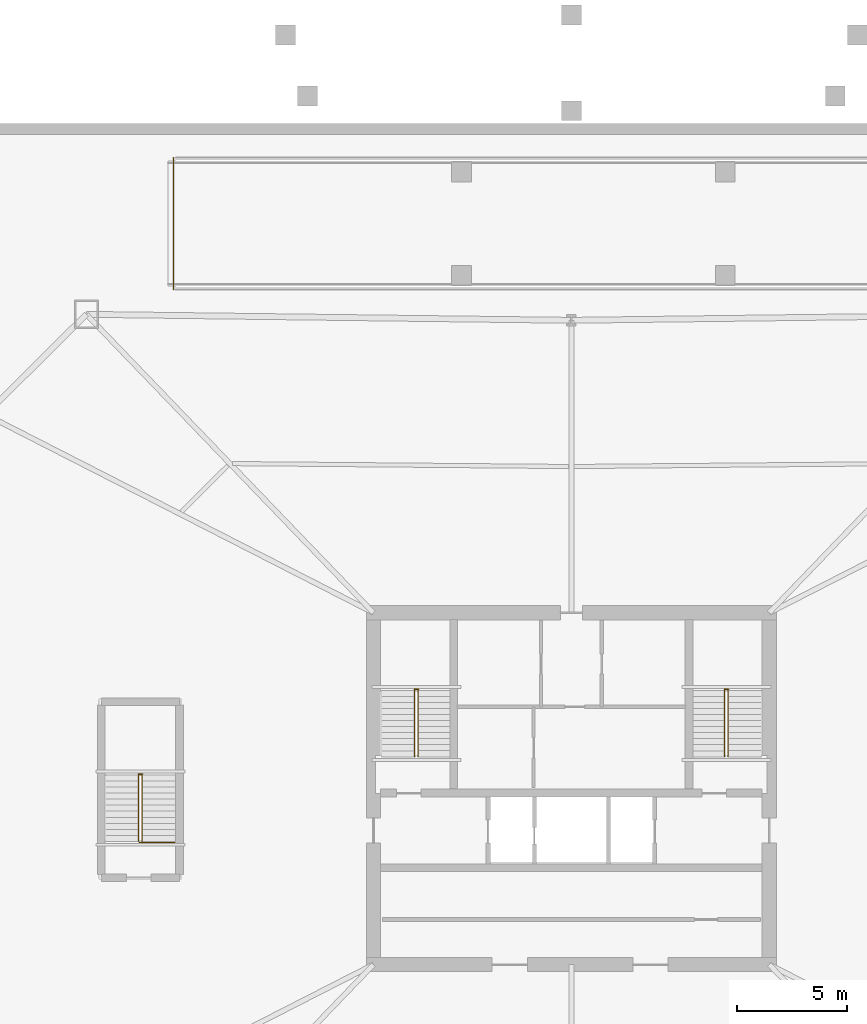
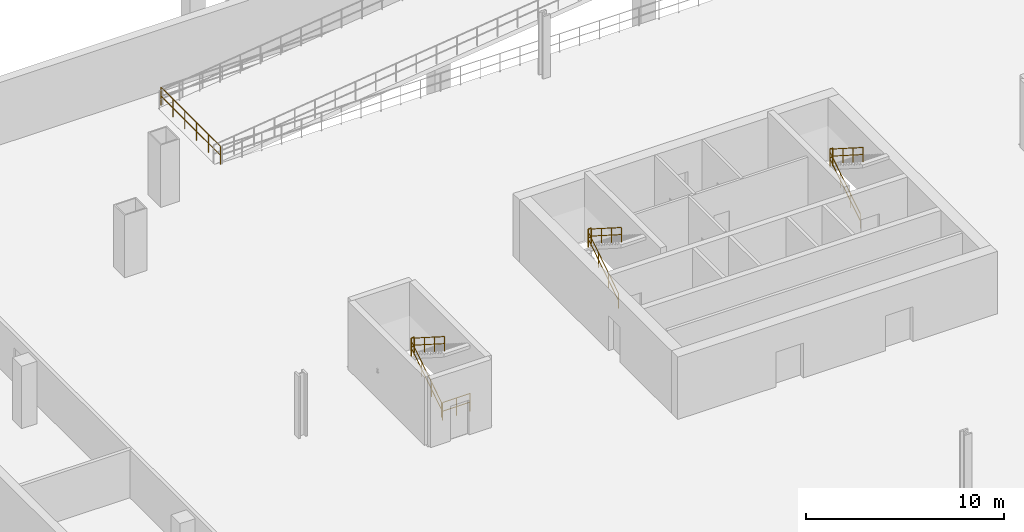
# One storey, part 7 of 9: 11 railings.
"""IFC4 building model written with IfcOpenShell, lengths in metres."""

from ifc_helpers import new_model, si_unit, direction, frame, origin, origin_2d, place, context, subcontext, project, spatial, circle, extrude, material, type_object, element, save


model = new_model("IFC4")

# Units and contexts
model_context = context("Model", 3, precision=1e-05, world=origin(), true_north=direction((0.0, 1.0)))
body_context = subcontext(model_context, "Body", "Model", "MODEL_VIEW")
ifc_project = project(units=[si_unit("LENGTHUNIT", "METRE"), si_unit("AREAUNIT", "SQUARE_METRE"), si_unit("VOLUMEUNIT", "CUBIC_METRE"), si_unit("PLANEANGLEUNIT", "RADIAN"), si_unit("MASSUNIT", "GRAM", prefix="KILO")], contexts=[model_context])

# Site, building, storey
site_placement = place(None, origin())
site = spatial("IfcSite", under=ifc_project, at=site_placement, CompositionType="ELEMENT")
building_placement = place(site_placement, origin())
building = spatial("IfcBuilding", under=site, at=building_placement, Name="Caelvoria Tower", CompositionType="ELEMENT")
storey_placement = place(building_placement, frame((0.0, 0.0, -4.199951171875)))
storey = spatial("IfcBuildingStorey", under=building, at=storey_placement, Name="B1", CompositionType="ELEMENT", Elevation=-4.199951171875)

# Railings
ifc_material_1 = material(Name="Brushed Stainless Steel Tube", Category="steel")
railing_type_1 = type_object("IfcRailingType", Name="Stair Tubular Stainless Handrail 920", PredefinedType="HANDRAIL", material=ifc_material_1)
railing_1_placement = place(storey_placement, frame((38.8701171875, 33.449951171875, 0.175048828125)))
element("IfcRailing", 1, at=railing_1_placement, inside=storey, type_object=railing_type_1, Name="ST-01 Flight 1 Handrail B1", PredefinedType="HANDRAIL", context=body_context, shape_type="SweptSolid", body=[
    extrude(circle(Radius=0.02392578125, at=origin_2d()), frame((0.0, 0.0, 0.89599609375), z_axis=(0.0, 0.843697933737, 0.536818215607), x_axis=(-1.0, 0.0, 0.0)), (0.0, 0.0, 1.0), 3.585693359375),
    extrude(circle(Radius=0.02392578125, at=origin_2d()), frame((0.0, 0.0, 0.4599609375), z_axis=(0.0, 0.843697933737, 0.536818215607), x_axis=(-1.0, 0.0, 0.0)), (0.0, 0.0, 1.0), 3.585693359375),
    extrude(circle(Radius=0.02099609375, at=origin_2d()), origin(), (0.0, 0.0, 1.0), 0.871826171875),
    extrude(circle(Radius=0.02099609375, at=origin_2d()), frame((0.0, 1.00830078125, 0.6416015625)), (0.0, 0.0, 1.0), 0.871826171875),
    extrude(circle(Radius=0.02099609375, at=origin_2d()), frame((0.0, 2.016845703125, 1.283203125)), (0.0, 0.0, 1.0), 0.871826171875),
    extrude(circle(Radius=0.02099609375, at=origin_2d()), frame((0.0, 3.025146484375, 1.9248046875)), (0.0, 0.0, 1.0), 0.871826171875),
])
railing_2_placement = place(storey_placement, frame((39.030029296875, 36.47509765625, 2.27490234375)))
element("IfcRailing", 2, at=railing_2_placement, inside=storey, type_object=railing_type_1, Name="ST-01 Flight 2 Handrail B1", PredefinedType="HANDRAIL", context=body_context, shape_type="SweptSolid", body=[
    extrude(circle(Radius=0.02392578125, at=origin_2d()), frame((0.0, 0.0, 0.89599609375), z_axis=(0.0, -0.843667094858, 0.536866680894), x_axis=(1.0, 0.0, 0.0)), (0.0, 0.0, 1.0), 3.585693359375),
    extrude(circle(Radius=0.02392578125, at=origin_2d()), frame((0.0, 0.0, 0.4599609375), z_axis=(0.0, -0.843667094858, 0.536866680894), x_axis=(1.0, 0.0, 0.0)), (0.0, 0.0, 1.0), 3.585693359375),
    extrude(circle(Radius=0.02099609375, at=origin_2d()), origin(), (0.0, 0.0, 1.0), 0.871826171875),
    extrude(circle(Radius=0.02099609375, at=origin_2d()), frame((0.0, -1.00830078125, 0.6416015625)), (0.0, 0.0, 1.0), 0.871826171875),
    extrude(circle(Radius=0.02099609375, at=origin_2d()), frame((0.0, -2.016845703125, 1.283447265625)), (0.0, 0.0, 1.0), 0.871826171875),
    extrude(circle(Radius=0.02099609375, at=origin_2d()), frame((0.0, -3.025146484375, 1.925048828125)), (0.0, 0.0, 1.0), 0.871826171875),
])
railing_3_placement = place(storey_placement, frame((52.969970703125, 33.449951171875, 0.175048828125)))
element("IfcRailing", 3, at=railing_3_placement, inside=storey, type_object=railing_type_1, Name="ST-02 Flight 1 Handrail B1", PredefinedType="HANDRAIL", context=body_context, shape_type="SweptSolid", body=[
    extrude(circle(Radius=0.02392578125, at=origin_2d()), frame((0.0, 0.0, 0.89599609375), z_axis=(0.0, 0.843697933737, 0.536818215607), x_axis=(-1.0, 0.0, 0.0)), (0.0, 0.0, 1.0), 3.585693359375),
    extrude(circle(Radius=0.02392578125, at=origin_2d()), frame((0.0, 0.0, 0.4599609375), z_axis=(0.0, 0.843697933737, 0.536818215607), x_axis=(-1.0, 0.0, 0.0)), (0.0, 0.0, 1.0), 3.585693359375),
    extrude(circle(Radius=0.02099609375, at=origin_2d()), origin(), (0.0, 0.0, 1.0), 0.871826171875),
    extrude(circle(Radius=0.02099609375, at=origin_2d()), frame((0.0, 1.00830078125, 0.6416015625)), (0.0, 0.0, 1.0), 0.871826171875),
    extrude(circle(Radius=0.02099609375, at=origin_2d()), frame((0.0, 2.016845703125, 1.283203125)), (0.0, 0.0, 1.0), 0.871826171875),
    extrude(circle(Radius=0.02099609375, at=origin_2d()), frame((0.0, 3.025146484375, 1.9248046875)), (0.0, 0.0, 1.0), 0.871826171875),
])
railing_4_placement = place(storey_placement, frame((53.1298828125, 36.47509765625, 2.27490234375)))
element("IfcRailing", 4, at=railing_4_placement, inside=storey, type_object=railing_type_1, Name="ST-02 Flight 2 Handrail B1", PredefinedType="HANDRAIL", context=body_context, shape_type="SweptSolid", body=[
    extrude(circle(Radius=0.02392578125, at=origin_2d()), frame((0.0, 0.0, 0.89599609375), z_axis=(0.0, -0.843667094858, 0.536866680894), x_axis=(1.0, 0.0, 0.0)), (0.0, 0.0, 1.0), 3.585693359375),
    extrude(circle(Radius=0.02392578125, at=origin_2d()), frame((0.0, 0.0, 0.4599609375), z_axis=(0.0, -0.843667094858, 0.536866680894), x_axis=(1.0, 0.0, 0.0)), (0.0, 0.0, 1.0), 3.585693359375),
    extrude(circle(Radius=0.02099609375, at=origin_2d()), origin(), (0.0, 0.0, 1.0), 0.871826171875),
    extrude(circle(Radius=0.02099609375, at=origin_2d()), frame((0.0, -1.00830078125, 0.6416015625)), (0.0, 0.0, 1.0), 0.871826171875),
    extrude(circle(Radius=0.02099609375, at=origin_2d()), frame((0.0, -2.016845703125, 1.283447265625)), (0.0, 0.0, 1.0), 0.871826171875),
    extrude(circle(Radius=0.02099609375, at=origin_2d()), frame((0.0, -3.025146484375, 1.925048828125)), (0.0, 0.0, 1.0), 0.871826171875),
])
railing_5_placement = place(storey_placement, frame((26.320068359375, 29.60009765625, 0.175048828125)))
element("IfcRailing", 5, at=railing_5_placement, inside=storey, type_object=railing_type_1, Name="ST-03 Flight 1 Handrail B1", PredefinedType="HANDRAIL", context=body_context, shape_type="SweptSolid", body=[
    extrude(circle(Radius=0.02392578125, at=origin_2d()), frame((0.0, 0.0, 0.89599609375), z_axis=(0.0, 0.843678310415, 0.536849055634), x_axis=(-1.0, 0.0, 0.0)), (0.0, 0.0, 1.0), 3.58544921875),
    extrude(circle(Radius=0.02392578125, at=origin_2d()), frame((0.0, 0.0, 0.4599609375), z_axis=(0.0, 0.843678310415, 0.536849055634), x_axis=(-1.0, 0.0, 0.0)), (0.0, 0.0, 1.0), 3.58544921875),
    extrude(circle(Radius=0.02099609375, at=origin_2d()), origin(), (0.0, 0.0, 1.0), 0.871826171875),
    extrude(circle(Radius=0.02099609375, at=origin_2d()), frame((0.0, 1.00830078125, 0.6416015625)), (0.0, 0.0, 1.0), 0.871826171875),
    extrude(circle(Radius=0.02099609375, at=origin_2d()), frame((0.0, 2.0166015625, 1.283203125)), (0.0, 0.0, 1.0), 0.871826171875),
    extrude(circle(Radius=0.02099609375, at=origin_2d()), frame((0.0, 3.02490234375, 1.9248046875)), (0.0, 0.0, 1.0), 0.871826171875),
])
railing_6_placement = place(storey_placement, frame((26.47998046875, 32.625, 2.27490234375)))
element("IfcRailing", 6, at=railing_6_placement, inside=storey, type_object=railing_type_1, Name="ST-03 Flight 2 Handrail B1", PredefinedType="HANDRAIL", context=body_context, shape_type="SweptSolid", body=[
    extrude(circle(Radius=0.02392578125, at=origin_2d()), frame((0.0, 0.0, 0.89599609375), z_axis=(0.0, -0.84364746871, 0.536897521451), x_axis=(1.0, 0.0, 0.0)), (0.0, 0.0, 1.0), 3.58544921875),
    extrude(circle(Radius=0.02392578125, at=origin_2d()), frame((0.0, 0.0, 0.4599609375), z_axis=(0.0, -0.84364746871, 0.536897521451), x_axis=(1.0, 0.0, 0.0)), (0.0, 0.0, 1.0), 3.58544921875),
    extrude(circle(Radius=0.02099609375, at=origin_2d()), origin(), (0.0, 0.0, 1.0), 0.871826171875),
    extrude(circle(Radius=0.02099609375, at=origin_2d()), frame((0.0, -1.00830078125, 0.6416015625)), (0.0, 0.0, 1.0), 0.871826171875),
    extrude(circle(Radius=0.02099609375, at=origin_2d()), frame((0.0, -2.0166015625, 1.283447265625)), (0.0, 0.0, 1.0), 0.871826171875),
    extrude(circle(Radius=0.02099609375, at=origin_2d()), frame((0.0, -3.02490234375, 1.925048828125)), (0.0, 0.0, 1.0), 0.871826171875),
])
ifc_material_2 = material(Name="Brushed Stainless Steel Guardrail", Category="steel")
railing_type_2 = type_object("IfcRailingType", Name="Stair Well and Ramp Guardrail 1120", PredefinedType="GUARDRAIL", material=ifc_material_2)
for number, where, name in (
    (7, (38.8701171875, 36.514892578125, 2.099853515625), "ST-01 Half-Landing Well Guard B1"),
    (8, (52.969970703125, 36.514892578125, 2.099853515625), "ST-02 Half-Landing Well Guard B1"),
    (9, (26.320068359375, 32.6650390625, 2.099853515625), "ST-03 Half-Landing Well Guard B1"),
):
    element("IfcRailing", number, at=place(storey_placement, frame(where)), inside=storey, type_object=railing_type_2, Name=name, PredefinedType="GUARDRAIL", context=body_context, shape_type="SweptSolid", body=[
        extrude(circle(Radius=0.02392578125, at=origin_2d()), frame((0.0, 0.0, 1.09619140625), z_axis=(1.0, 0.0, 0.0), x_axis=(0.0, 1.0, 0.0)), (0.0, 0.0, 1.0), 0.159912109375),
        extrude(circle(Radius=0.02392578125, at=origin_2d()), frame((0.0, 0.0, 0.56005859375), z_axis=(1.0, 0.0, 0.0), x_axis=(0.0, 1.0, 0.0)), (0.0, 0.0, 1.0), 0.159912109375),
        extrude(circle(Radius=0.02099609375, at=origin_2d()), origin(), (0.0, 0.0, 1.0), 1.072021484375),
        extrude(circle(Radius=0.02099609375, at=origin_2d()), frame((0.159912109375, 0.0, 0.0)), (0.0, 0.0, 1.0), 1.072021484375),
    ])
railing_7_placement = place(storey_placement, frame((26.35009765625, 29.56005859375, 0.0)))
element("IfcRailing", 10, at=railing_7_placement, inside=storey, type_object=railing_type_2, Name="ST-03 Bottom Landing Guard B1", PredefinedType="GUARDRAIL", context=body_context, shape_type="SweptSolid", body=[
    extrude(circle(Radius=0.02392578125, at=origin_2d()), frame((0.0, 0.0, 1.09619140625), z_axis=(1.0, 0.0, 0.0), x_axis=(0.0, 1.0, 0.0)), (0.0, 0.0, 1.0), 1.60986328125),
    extrude(circle(Radius=0.02392578125, at=origin_2d()), frame((0.0, 0.0, 0.56005859375), z_axis=(1.0, 0.0, 0.0), x_axis=(0.0, 1.0, 0.0)), (0.0, 0.0, 1.0), 1.60986328125),
    extrude(circle(Radius=0.02099609375, at=origin_2d()), origin(), (0.0, 0.0, 1.0), 1.072021484375),
    extrude(circle(Radius=0.02099609375, at=origin_2d()), frame((0.804931640625, 0.0, 0.0)), (0.0, 0.0, 1.0), 1.072021484375),
    extrude(circle(Radius=0.02099609375, at=origin_2d()), frame((1.60986328125, 0.0, 0.0)), (0.0, 0.0, 1.0), 1.072021484375),
])
railing_8_placement = place(storey_placement, frame((27.89990234375, 54.699951171875, 0.0)))
element("IfcRailing", 11, at=railing_8_placement, inside=storey, type_object=railing_type_2, Name="Vehicular Ramp Well End Guard B1", PredefinedType="GUARDRAIL", context=body_context, shape_type="SweptSolid", body=[
    extrude(circle(Radius=0.02392578125, at=origin_2d()), frame((0.0, 0.0, 1.1259765625), z_axis=(0.0, 1.0, 0.0), x_axis=(-1.0, 0.0, 0.0)), (0.0, 0.0, 1.0), 6.0),
    extrude(circle(Radius=0.02392578125, at=origin_2d()), frame((0.0, 0.0, 0.574951171875), z_axis=(0.0, 1.0, 0.0), x_axis=(-1.0, 0.0, 0.0)), (0.0, 0.0, 1.0), 6.0),
    extrude(circle(Radius=0.02099609375, at=origin_2d()), origin(), (0.0, 0.0, 1.0), 1.101806640625),
    extrude(circle(Radius=0.02099609375, at=origin_2d()), frame((0.0, 1.199951171875, 0.0)), (0.0, 0.0, 1.0), 1.101806640625),
    extrude(circle(Radius=0.02099609375, at=origin_2d()), frame((0.0, 2.39990234375, 0.0)), (0.0, 0.0, 1.0), 1.101806640625),
    extrude(circle(Radius=0.02099609375, at=origin_2d()), frame((0.0, 3.60009765625, 0.0)), (0.0, 0.0, 1.0), 1.101806640625),
    extrude(circle(Radius=0.02099609375, at=origin_2d()), frame((0.0, 4.800048828125, 0.0)), (0.0, 0.0, 1.0), 1.101806640625),
    extrude(circle(Radius=0.02099609375, at=origin_2d()), frame((0.0, 6.0, 0.0)), (0.0, 0.0, 1.0), 1.101806640625),
])

save(model, "model.ifc")
